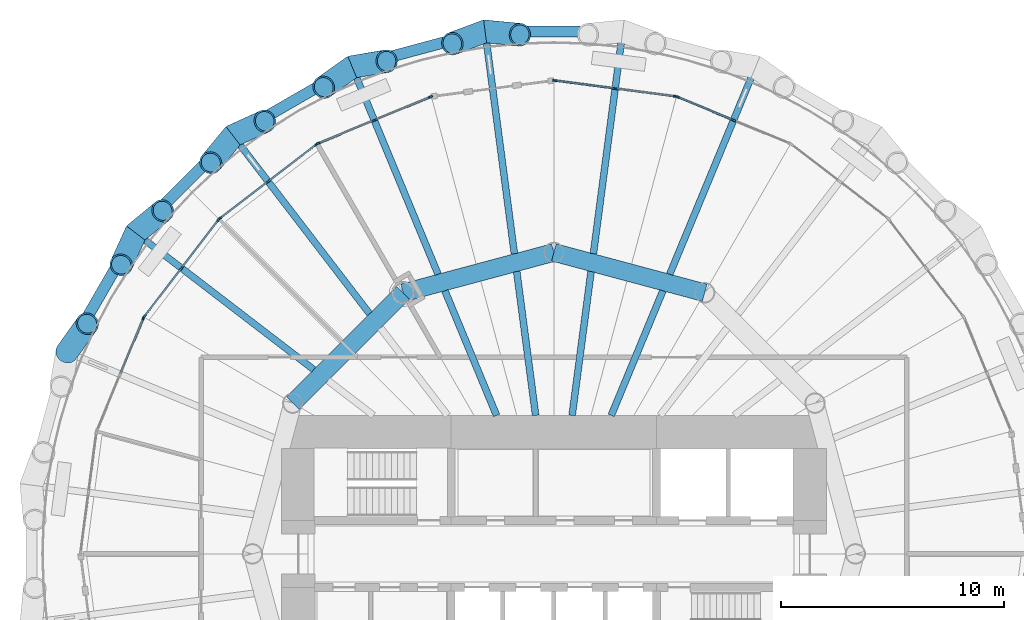
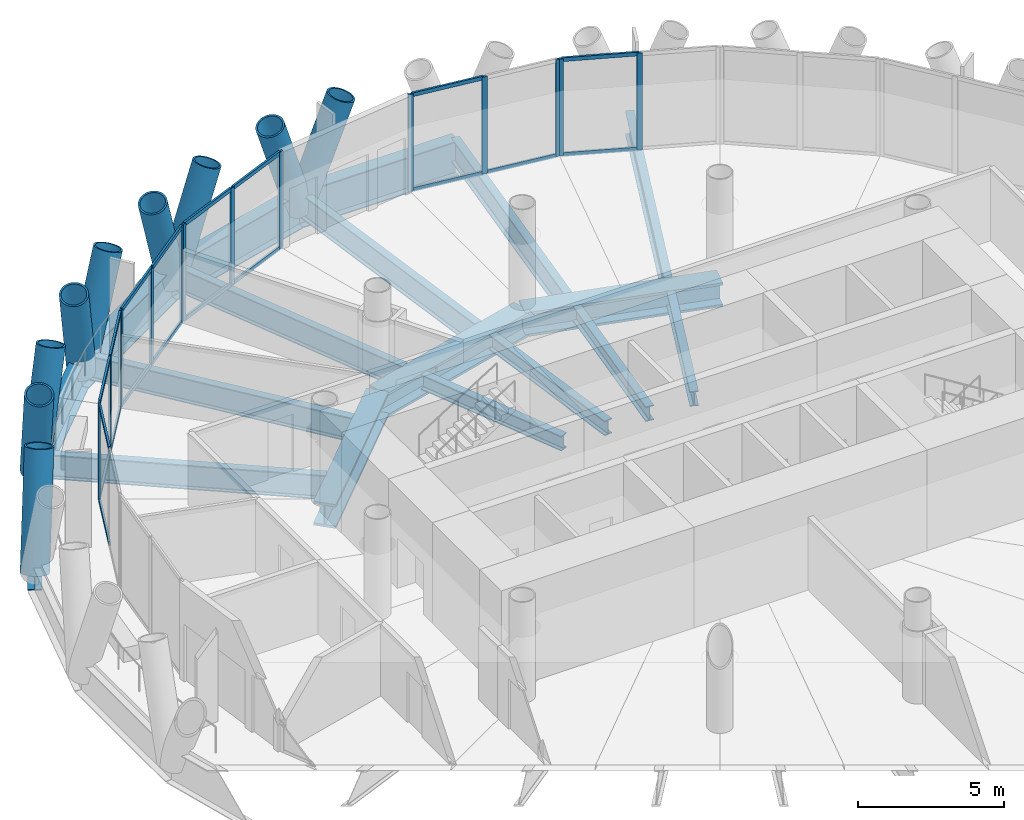
# One storey, part 6 of 14: 43 members, 18 beams, 6 elements without a shape of their own.
"""IFC4 building model written with IfcOpenShell, lengths in metres."""

from ifc_helpers import new_model, si_unit, direction, frame, origin, origin_2d, place, context, subcontext, project, spatial, rectangle, hollow_circle, i_section, extrude, material, material_profile, profile_set, type_object, element, aggregate, save


model = new_model("IFC4")

# Units and contexts
model_context = context("Model", 3, precision=1e-05, world=origin(), true_north=direction((0.0, 1.0)))
body_context = subcontext(model_context, "Body", "Model", "MODEL_VIEW")
ifc_project = project(units=[si_unit("LENGTHUNIT", "METRE"), si_unit("AREAUNIT", "SQUARE_METRE"), si_unit("VOLUMEUNIT", "CUBIC_METRE"), si_unit("PLANEANGLEUNIT", "RADIAN"), si_unit("MASSUNIT", "GRAM", prefix="KILO")], contexts=[model_context])

# Site, building, storey
site_placement = place(None, origin())
site = spatial("IfcSite", under=ifc_project, at=site_placement, CompositionType="ELEMENT")
building_placement = place(site_placement, origin())
building = spatial("IfcBuilding", under=site, at=building_placement, Name="Qaws Media Tower", CompositionType="ELEMENT")
storey_placement = place(building_placement, frame((0.0, 0.0, 202.39990234375)))
storey = spatial("IfcBuildingStorey", under=building, at=storey_placement, Name="L46", CompositionType="ELEMENT", Elevation=202.39990234375)

# Curtain wall, members
ifc_material_1 = material(Name="Aluminium and clear glass", Category="aluminium")
curtain_wall_type = type_object("IfcCurtainWallType", Name="Unitised curtain wall CW-C", PredefinedType="NOTDEFINED", material=ifc_material_1)
curtain_wall_1_placement = place(storey_placement, origin())
curtain_wall_1 = element("IfcCurtainWall", 1, at=curtain_wall_1_placement, inside=storey, type_object=curtain_wall_type, Name="CWC curtain wall L46-05", PredefinedType="NOTDEFINED")
ifc_material_2 = material(Name="Aluminium mullion", Category="aluminium")
ifc_material_profile_1 = material_profile(ifc_material_2, rectangle(XDim=0.080078125, YDim=0.199951171875, at=origin_2d()), Name="80x200")
ifc_profile_set_1 = profile_set([ifc_material_profile_1], Name="Aluminium mullion")
member_type_1 = type_object("IfcMemberType", Name="Curtain wall mullion 80x200", PredefinedType="MULLION", material=ifc_profile_set_1)
member_1_placement = place(storey_placement, frame((68.04345703125, 69.418701171875, 0.0), z_axis=(0.0, 0.0, 1.0), x_axis=(-0.382683454553, -0.923879523321, 0.0)))
member_1 = element("IfcMember", 2, at=member_1_placement, type_object=member_type_1, Name="CWC mullion 2", PredefinedType="MULLION", context=body_context, shape_type="SweptSolid", body=[
    extrude(rectangle(XDim=0.080078125, YDim=0.199951171875, at=origin_2d()), origin(), (0.0, 0.0, 1.0), 4.0400390625),
])
member_2_placement = place(storey_placement, frame((65.52392578125, 70.46240234375, 0.0), z_axis=(0.0, 0.0, 1.0), x_axis=(-0.382683454553, -0.923879523321, 0.0)))
member_2 = element("IfcMember", 3, at=member_2_placement, type_object=member_type_1, Name="CWC mullion 3", PredefinedType="MULLION", context=body_context, shape_type="SweptSolid", body=[
    extrude(rectangle(XDim=0.080078125, YDim=0.199951171875, at=origin_2d()), origin(), (0.0, 0.0, 1.0), 4.0400390625),
])

curtain_wall_2_placement = place(storey_placement, origin())
curtain_wall_2 = element("IfcCurtainWall", 4, at=curtain_wall_2_placement, inside=storey, type_object=curtain_wall_type, Name="CWC curtain wall L46-06", PredefinedType="NOTDEFINED")
member_3_placement = place(storey_placement, frame((65.447265625, 70.48291015625, 0.0), z_axis=(0.0, 0.0, 1.0), x_axis=(-0.130526100786, -0.991444873411, 0.0)))
member_3 = element("IfcMember", 5, at=member_3_placement, type_object=member_type_1, Name="CWC mullion 1", PredefinedType="MULLION", context=body_context, shape_type="SweptSolid", body=[
    extrude(rectangle(XDim=0.080078125, YDim=0.199951171875, at=origin_2d()), origin(), (0.0, 0.0, 1.0), 4.0400390625),
])
member_4_placement = place(storey_placement, frame((62.743408203125, 70.8388671875, 0.0), z_axis=(0.0, 0.0, 1.0), x_axis=(-0.130526100786, -0.991444873411, 0.0)))
member_4 = element("IfcMember", 6, at=member_4_placement, type_object=member_type_1, Name="CWC mullion 2", PredefinedType="MULLION", context=body_context, shape_type="SweptSolid", body=[
    extrude(rectangle(XDim=0.080078125, YDim=0.199951171875, at=origin_2d()), origin(), (0.0, 0.0, 1.0), 4.0400390625),
])
member_5_placement = place(storey_placement, frame((60.03955078125, 71.19482421875, 0.0), z_axis=(0.0, 0.0, 1.0), x_axis=(-0.130526100786, -0.991444873411, 0.0)))
member_5 = element("IfcMember", 7, at=member_5_placement, type_object=member_type_1, Name="CWC mullion 3", PredefinedType="MULLION", context=body_context, shape_type="SweptSolid", body=[
    extrude(rectangle(XDim=0.080078125, YDim=0.199951171875, at=origin_2d()), origin(), (0.0, 0.0, 1.0), 4.0400390625),
])

curtain_wall_3_placement = place(storey_placement, origin())
curtain_wall_3 = element("IfcCurtainWall", 8, at=curtain_wall_3_placement, inside=storey, type_object=curtain_wall_type, Name="CWC curtain wall L46-08", PredefinedType="NOTDEFINED")
member_6_placement = place(storey_placement, frame((54.47607421875, 70.46240234375, 0.0), z_axis=(0.0, 0.0, 1.0), x_axis=(0.382683454553, -0.923879523321, 0.0)))
member_6 = element("IfcMember", 9, at=member_6_placement, type_object=member_type_1, Name="CWC mullion 1", PredefinedType="MULLION", context=body_context, shape_type="SweptSolid", body=[
    extrude(rectangle(XDim=0.080078125, YDim=0.199951171875, at=origin_2d()), origin(), (0.0, 0.0, 1.0), 4.0400390625),
])
member_7_placement = place(storey_placement, frame((51.95654296875, 69.418701171875, 0.0), z_axis=(0.0, 0.0, 1.0), x_axis=(0.382683454553, -0.923879523321, 0.0)))
member_7 = element("IfcMember", 10, at=member_7_placement, type_object=member_type_1, Name="CWC mullion 2", PredefinedType="MULLION", context=body_context, shape_type="SweptSolid", body=[
    extrude(rectangle(XDim=0.080078125, YDim=0.199951171875, at=origin_2d()), origin(), (0.0, 0.0, 1.0), 4.0400390625),
])
member_8_placement = place(storey_placement, frame((49.43701171875, 68.375, 0.0), z_axis=(0.0, 0.0, 1.0), x_axis=(0.382683454553, -0.923879523321, 0.0)))
member_8 = element("IfcMember", 11, at=member_8_placement, type_object=member_type_1, Name="CWC mullion 3", PredefinedType="MULLION", context=body_context, shape_type="SweptSolid", body=[
    extrude(rectangle(XDim=0.080078125, YDim=0.199951171875, at=origin_2d()), origin(), (0.0, 0.0, 1.0), 4.0400390625),
])

curtain_wall_4_placement = place(storey_placement, origin())
curtain_wall_4 = element("IfcCurtainWall", 12, at=curtain_wall_4_placement, inside=storey, type_object=curtain_wall_type, Name="CWC curtain wall L46-09", PredefinedType="NOTDEFINED")
member_9_placement = place(storey_placement, frame((49.3681640625, 68.33544921875, 0.0), z_axis=(0.0, 0.0, 1.0), x_axis=(0.608761431016, -0.793353338751, 0.0)))
member_9 = element("IfcMember", 13, at=member_9_placement, type_object=member_type_1, Name="CWC mullion 1", PredefinedType="MULLION", context=body_context, shape_type="SweptSolid", body=[
    extrude(rectangle(XDim=0.080078125, YDim=0.199951171875, at=origin_2d()), origin(), (0.0, 0.0, 1.0), 4.0400390625),
])
member_10_placement = place(storey_placement, frame((47.20458984375, 66.67529296875, 0.0), z_axis=(0.0, 0.0, 1.0), x_axis=(0.608761431016, -0.793353338751, 0.0)))
member_10 = element("IfcMember", 14, at=member_10_placement, type_object=member_type_1, Name="CWC mullion 2", PredefinedType="MULLION", context=body_context, shape_type="SweptSolid", body=[
    extrude(rectangle(XDim=0.080078125, YDim=0.199951171875, at=origin_2d()), origin(), (0.0, 0.0, 1.0), 4.0400390625),
])
member_11_placement = place(storey_placement, frame((45.041015625, 65.014892578125, 0.0), z_axis=(0.0, 0.0, 1.0), x_axis=(0.608761431016, -0.793353338751, 0.0)))
member_11 = element("IfcMember", 15, at=member_11_placement, type_object=member_type_1, Name="CWC mullion 3", PredefinedType="MULLION", context=body_context, shape_type="SweptSolid", body=[
    extrude(rectangle(XDim=0.080078125, YDim=0.199951171875, at=origin_2d()), origin(), (0.0, 0.0, 1.0), 4.0400390625),
])

curtain_wall_5_placement = place(storey_placement, origin())
curtain_wall_5 = element("IfcCurtainWall", 16, at=curtain_wall_5_placement, inside=storey, type_object=curtain_wall_type, Name="CWC curtain wall L46-10", PredefinedType="NOTDEFINED")
member_12_placement = place(storey_placement, frame((44.985107421875, 64.958984375, 0.0), z_axis=(0.0, 0.0, 1.0), x_axis=(0.793353338751, -0.608761431016, 0.0)))
member_12 = element("IfcMember", 17, at=member_12_placement, type_object=member_type_1, Name="CWC mullion 1", PredefinedType="MULLION", context=body_context, shape_type="SweptSolid", body=[
    extrude(rectangle(XDim=0.080078125, YDim=0.199951171875, at=origin_2d()), origin(), (0.0, 0.0, 1.0), 4.0400390625),
])
member_13_placement = place(storey_placement, frame((43.32470703125, 62.79541015625, 0.0), z_axis=(0.0, 0.0, 1.0), x_axis=(0.793353338751, -0.608761431016, 0.0)))
member_13 = element("IfcMember", 18, at=member_13_placement, type_object=member_type_1, Name="CWC mullion 2", PredefinedType="MULLION", context=body_context, shape_type="SweptSolid", body=[
    extrude(rectangle(XDim=0.080078125, YDim=0.199951171875, at=origin_2d()), origin(), (0.0, 0.0, 1.0), 4.0400390625),
])
member_14_placement = place(storey_placement, frame((41.66455078125, 60.6318359375, 0.0), z_axis=(0.0, 0.0, 1.0), x_axis=(0.793353338751, -0.608761431016, 0.0)))
member_14 = element("IfcMember", 19, at=member_14_placement, type_object=member_type_1, Name="CWC mullion 3", PredefinedType="MULLION", context=body_context, shape_type="SweptSolid", body=[
    extrude(rectangle(XDim=0.080078125, YDim=0.199951171875, at=origin_2d()), origin(), (0.0, 0.0, 1.0), 4.0400390625),
])

# Curtain wall, member
curtain_wall_6_placement = place(storey_placement, origin())
curtain_wall_6 = element("IfcCurtainWall", 20, at=curtain_wall_6_placement, inside=storey, type_object=curtain_wall_type, Name="CWC curtain wall L46-11", PredefinedType="NOTDEFINED")
member_15_placement = place(storey_placement, frame((41.625, 60.56298828125, 0.0), z_axis=(0.0, 0.0, 1.0), x_axis=(0.923879523321, -0.382683454553, 0.0)))
member_15 = element("IfcMember", 21, at=member_15_placement, type_object=member_type_1, Name="CWC mullion 1", PredefinedType="MULLION", context=body_context, shape_type="SweptSolid", body=[
    extrude(rectangle(XDim=0.080078125, YDim=0.199951171875, at=origin_2d()), origin(), (0.0, 0.0, 1.0), 4.0400390625),
])

# Member
ifc_material_3 = material(Name="Aluminium transom", Category="aluminium")
ifc_material_profile_2 = material_profile(ifc_material_3, rectangle(XDim=0.080078125, YDim=0.159912109375, at=origin_2d()), Name="80x160")
ifc_profile_set_2 = profile_set([ifc_material_profile_2], Name="Aluminium transom")
member_type_2 = type_object("IfcMemberType", Name="Curtain wall transom 80x160", PredefinedType="USERDEFINED", material=ifc_profile_set_2)
member_16_placement = place(storey_placement, frame((68.006591796875, 69.43408203125, 0.0400390625), z_axis=(-0.923898816777, 0.38263687271, 0.0), x_axis=(-0.38263687271, -0.923898816777, 0.0)))
member_16 = element("IfcMember", 22, at=member_16_placement, type_object=member_type_2, Name="CWC transom 2.1", ObjectType="TRANSOM", PredefinedType="USERDEFINED", context=body_context, shape_type="SweptSolid", body=[
    extrude(rectangle(XDim=0.080078125, YDim=0.159912109375, at=origin_2d()), origin(), (0.0, 0.0, 1.0), 2.647216796875),
])

member_17_placement = place(storey_placement, frame((68.006591796875, 69.43408203125, 4.0), z_axis=(-0.923898816777, 0.38263687271, 0.0), x_axis=(-0.38263687271, -0.923898816777, 0.0)))
member_17 = element("IfcMember", 23, at=member_17_placement, type_object=member_type_2, Name="CWC transom 2.2", ObjectType="TRANSOM", PredefinedType="USERDEFINED", context=body_context, shape_type="SweptSolid", body=[
    extrude(rectangle(XDim=0.080078125, YDim=0.159912109375, at=origin_2d()), origin(), (0.0, 0.0, 1.0), 2.647216796875),
])

aggregate(curtain_wall_1, [member_1, member_2, member_16, member_17])

member_18_placement = place(storey_placement, frame((65.40771484375, 70.488037109375, 0.0400390625), z_axis=(-0.991448016129, 0.130502227239, 0.0), x_axis=(-0.130502227239, -0.991448016129, 0.0)))
member_18 = element("IfcMember", 24, at=member_18_placement, type_object=member_type_2, Name="CWC transom 1.1", ObjectType="TRANSOM", PredefinedType="USERDEFINED", context=body_context, shape_type="SweptSolid", body=[
    extrude(rectangle(XDim=0.080078125, YDim=0.159912109375, at=origin_2d()), origin(), (0.0, 0.0, 1.0), 2.647216796875),
])

member_19_placement = place(storey_placement, frame((62.703857421875, 70.843994140625, 0.0400390625), z_axis=(-0.991448016129, 0.130502227239, 0.0), x_axis=(-0.130502227239, -0.991448016129, 0.0)))
member_19 = element("IfcMember", 25, at=member_19_placement, type_object=member_type_2, Name="CWC transom 2.1", ObjectType="TRANSOM", PredefinedType="USERDEFINED", context=body_context, shape_type="SweptSolid", body=[
    extrude(rectangle(XDim=0.080078125, YDim=0.159912109375, at=origin_2d()), origin(), (0.0, 0.0, 1.0), 2.647216796875),
])

member_20_placement = place(storey_placement, frame((62.703857421875, 70.843994140625, 4.0), z_axis=(-0.991448016129, 0.130502227239, 0.0), x_axis=(-0.130502227239, -0.991448016129, 0.0)))
member_20 = element("IfcMember", 26, at=member_20_placement, type_object=member_type_2, Name="CWC transom 2.2", ObjectType="TRANSOM", PredefinedType="USERDEFINED", context=body_context, shape_type="SweptSolid", body=[
    extrude(rectangle(XDim=0.080078125, YDim=0.159912109375, at=origin_2d()), origin(), (0.0, 0.0, 1.0), 2.647216796875),
])

aggregate(curtain_wall_2, [member_3, member_4, member_5, member_18, member_19, member_20])

member_21_placement = place(storey_placement, frame((54.439208984375, 70.447021484375, 0.0400390625), z_axis=(-0.923898816777, -0.38263687271, 0.0), x_axis=(0.38263687271, -0.923898816777, 0.0)))
member_21 = element("IfcMember", 27, at=member_21_placement, type_object=member_type_2, Name="CWC transom 1.1", ObjectType="TRANSOM", PredefinedType="USERDEFINED", context=body_context, shape_type="SweptSolid", body=[
    extrude(rectangle(XDim=0.080078125, YDim=0.159912109375, at=origin_2d()), origin(), (0.0, 0.0, 1.0), 2.647216796875),
])

member_22_placement = place(storey_placement, frame((54.439208984375, 70.447021484375, 4.0), z_axis=(-0.923898816777, -0.38263687271, 0.0), x_axis=(0.38263687271, -0.923898816777, 0.0)))
member_22 = element("IfcMember", 28, at=member_22_placement, type_object=member_type_2, Name="CWC transom 1.2", ObjectType="TRANSOM", PredefinedType="USERDEFINED", context=body_context, shape_type="SweptSolid", body=[
    extrude(rectangle(XDim=0.080078125, YDim=0.159912109375, at=origin_2d()), origin(), (0.0, 0.0, 1.0), 2.647216796875),
])

member_23_placement = place(storey_placement, frame((51.919677734375, 69.4033203125, 0.0400390625), z_axis=(-0.923898816777, -0.38263687271, 0.0), x_axis=(0.38263687271, -0.923898816777, 0.0)))
member_23 = element("IfcMember", 29, at=member_23_placement, type_object=member_type_2, Name="CWC transom 2.1", ObjectType="TRANSOM", PredefinedType="USERDEFINED", context=body_context, shape_type="SweptSolid", body=[
    extrude(rectangle(XDim=0.080078125, YDim=0.159912109375, at=origin_2d()), origin(), (0.0, 0.0, 1.0), 2.647216796875),
])

member_24_placement = place(storey_placement, frame((51.919677734375, 69.4033203125, 4.0), z_axis=(-0.923898816777, -0.38263687271, 0.0), x_axis=(0.38263687271, -0.923898816777, 0.0)))
member_24 = element("IfcMember", 30, at=member_24_placement, type_object=member_type_2, Name="CWC transom 2.2", ObjectType="TRANSOM", PredefinedType="USERDEFINED", context=body_context, shape_type="SweptSolid", body=[
    extrude(rectangle(XDim=0.080078125, YDim=0.159912109375, at=origin_2d()), origin(), (0.0, 0.0, 1.0), 2.647216796875),
])

aggregate(curtain_wall_3, [member_6, member_7, member_8, member_21, member_22, member_23, member_24])

member_25_placement = place(storey_placement, frame((49.33642578125, 68.31103515625, 0.0400390625), z_axis=(-0.793333151209, -0.608787739029, 0.0), x_axis=(0.608787739029, -0.793333151209, 0.0)))
member_25 = element("IfcMember", 31, at=member_25_placement, type_object=member_type_2, Name="CWC transom 1.1", ObjectType="TRANSOM", PredefinedType="USERDEFINED", context=body_context, shape_type="SweptSolid", body=[
    extrude(rectangle(XDim=0.080078125, YDim=0.159912109375, at=origin_2d()), origin(), (0.0, 0.0, 1.0), 2.647216796875),
])

member_26_placement = place(storey_placement, frame((49.33642578125, 68.31103515625, 4.0), z_axis=(-0.793333151209, -0.608787739029, 0.0), x_axis=(0.608787739029, -0.793333151209, 0.0)))
member_26 = element("IfcMember", 32, at=member_26_placement, type_object=member_type_2, Name="CWC transom 1.2", ObjectType="TRANSOM", PredefinedType="USERDEFINED", context=body_context, shape_type="SweptSolid", body=[
    extrude(rectangle(XDim=0.080078125, YDim=0.159912109375, at=origin_2d()), origin(), (0.0, 0.0, 1.0), 2.647216796875),
])

member_27_placement = place(storey_placement, frame((47.1728515625, 66.65087890625, 0.0400390625), z_axis=(-0.793333151209, -0.608787739029, 0.0), x_axis=(0.608787739029, -0.793333151209, 0.0)))
member_27 = element("IfcMember", 33, at=member_27_placement, type_object=member_type_2, Name="CWC transom 2.1", ObjectType="TRANSOM", PredefinedType="USERDEFINED", context=body_context, shape_type="SweptSolid", body=[
    extrude(rectangle(XDim=0.080078125, YDim=0.159912109375, at=origin_2d()), origin(), (0.0, 0.0, 1.0), 2.647216796875),
])

member_28_placement = place(storey_placement, frame((47.1728515625, 66.65087890625, 4.0), z_axis=(-0.793333151209, -0.608787739029, 0.0), x_axis=(0.608787739029, -0.793333151209, 0.0)))
member_28 = element("IfcMember", 34, at=member_28_placement, type_object=member_type_2, Name="CWC transom 2.2", ObjectType="TRANSOM", PredefinedType="USERDEFINED", context=body_context, shape_type="SweptSolid", body=[
    extrude(rectangle(XDim=0.080078125, YDim=0.159912109375, at=origin_2d()), origin(), (0.0, 0.0, 1.0), 2.647216796875),
])

aggregate(curtain_wall_4, [member_9, member_10, member_11, member_25, member_26, member_27, member_28])

member_29_placement = place(storey_placement, frame((44.960693359375, 64.92724609375, 0.0400390625), z_axis=(-0.608787739029, -0.793333151209, 0.0), x_axis=(0.793333151209, -0.608787739029, 0.0)))
member_29 = element("IfcMember", 35, at=member_29_placement, type_object=member_type_2, Name="CWC transom 1.1", ObjectType="TRANSOM", PredefinedType="USERDEFINED", context=body_context, shape_type="SweptSolid", body=[
    extrude(rectangle(XDim=0.080078125, YDim=0.159912109375, at=origin_2d()), origin(), (0.0, 0.0, 1.0), 2.647216796875),
])

member_30_placement = place(storey_placement, frame((44.960693359375, 64.92724609375, 4.0), z_axis=(-0.608787739029, -0.793333151209, 0.0), x_axis=(0.793333151209, -0.608787739029, 0.0)))
member_30 = element("IfcMember", 36, at=member_30_placement, type_object=member_type_2, Name="CWC transom 1.2", ObjectType="TRANSOM", PredefinedType="USERDEFINED", context=body_context, shape_type="SweptSolid", body=[
    extrude(rectangle(XDim=0.080078125, YDim=0.159912109375, at=origin_2d()), origin(), (0.0, 0.0, 1.0), 2.647216796875),
])

member_31_placement = place(storey_placement, frame((43.300537109375, 62.763671875, 0.0400390625), z_axis=(-0.608787739029, -0.793333151209, 0.0), x_axis=(0.793333151209, -0.608787739029, 0.0)))
member_31 = element("IfcMember", 37, at=member_31_placement, type_object=member_type_2, Name="CWC transom 2.1", ObjectType="TRANSOM", PredefinedType="USERDEFINED", context=body_context, shape_type="SweptSolid", body=[
    extrude(rectangle(XDim=0.080078125, YDim=0.159912109375, at=origin_2d()), origin(), (0.0, 0.0, 1.0), 2.647216796875),
])

member_32_placement = place(storey_placement, frame((43.300537109375, 62.763671875, 4.0), z_axis=(-0.608787739029, -0.793333151209, 0.0), x_axis=(0.793333151209, -0.608787739029, 0.0)))
member_32 = element("IfcMember", 38, at=member_32_placement, type_object=member_type_2, Name="CWC transom 2.2", ObjectType="TRANSOM", PredefinedType="USERDEFINED", context=body_context, shape_type="SweptSolid", body=[
    extrude(rectangle(XDim=0.080078125, YDim=0.159912109375, at=origin_2d()), origin(), (0.0, 0.0, 1.0), 2.647216796875),
])

aggregate(curtain_wall_5, [member_12, member_13, member_14, member_29, member_30, member_31, member_32])

member_33_placement = place(storey_placement, frame((41.609619140625, 60.526123046875, 0.0400390625), z_axis=(-0.38263687271, -0.923898816777, 0.0), x_axis=(0.923898816777, -0.38263687271, 0.0)))
member_33 = element("IfcMember", 39, at=member_33_placement, type_object=member_type_2, Name="CWC transom 1.1", ObjectType="TRANSOM", PredefinedType="USERDEFINED", context=body_context, shape_type="SweptSolid", body=[
    extrude(rectangle(XDim=0.080078125, YDim=0.159912109375, at=origin_2d()), origin(), (0.0, 0.0, 1.0), 2.647216796875),
])

member_34_placement = place(storey_placement, frame((41.609619140625, 60.526123046875, 4.0), z_axis=(-0.38263687271, -0.923898816777, 0.0), x_axis=(0.923898816777, -0.38263687271, 0.0)))
member_34 = element("IfcMember", 40, at=member_34_placement, type_object=member_type_2, Name="CWC transom 1.2", ObjectType="TRANSOM", PredefinedType="USERDEFINED", context=body_context, shape_type="SweptSolid", body=[
    extrude(rectangle(XDim=0.080078125, YDim=0.159912109375, at=origin_2d()), origin(), (0.0, 0.0, 1.0), 2.647216796875),
])

aggregate(curtain_wall_6, [member_15, member_33, member_34])

# Members
ifc_material_4 = material(Name="Steel S460", Category="steel")
ifc_material_profile_3 = material_profile(ifc_material_4, hollow_circle(Radius=0.508056640625, WallThickness=0.070068359375, at=origin_2d()), Name="CHS 1016x70")
ifc_profile_set_3 = profile_set([ifc_material_profile_3], Name="Steel S460")
member_type_3 = type_object("IfcMemberType", Name="Diagrid member CHS 1016x70", PredefinedType="USERDEFINED", material=ifc_profile_set_3)
member_35_placement = place(storey_placement, frame((56.919677734375, 73.398193359375, -0.909912109375), z_axis=(-0.326965826616, -0.121808661832, 0.937153134834), x_axis=(0.349103646691, -0.937084117818, 0.0)))
element("IfcMember", 41, at=member_35_placement, inside=storey, type_object=member_type_3, Name="DG3 diagrid L46 A07", ObjectType="DIAGRID", PredefinedType="USERDEFINED", context=body_context, shape_type="SweptSolid", body=[
    extrude(hollow_circle(Radius=0.508056640625, WallThickness=0.070068359375, at=origin_2d()), origin(), (0.0, 0.0, 1.0), 4.481689453125),
])
for number, where, z_axis, x_axis, name in (
    (42, (56.919677734375, 73.398193359375, -0.909912109375), (0.347292966152, -0.03306773811, 0.937173473994), (0.094786985058, 0.995497577829, 0.0), "DG3 diagrid L46 B07"),
    (43, (50.96875, 71.803466796875, -0.909912109375), (-0.284313871152, -0.202217491802, 0.93716258391), (0.579597527467, -0.814902881425, 0.0), "DG3 diagrid L46 A08"),
    (44, (50.96875, 71.803466796875, -0.909912109375), (0.34402209257, 0.058017977607, 0.937167388516), (-0.166297781756, 0.986075579143, 0.0), "DG3 diagrid L46 B08"),
):
    element("IfcMember", number, at=place(storey_placement, frame(where, z_axis=z_axis, x_axis=x_axis)), inside=storey, type_object=member_type_3, Name=name, ObjectType="DIAGRID", PredefinedType="USERDEFINED", context=body_context, shape_type="SweptSolid", body=[
        extrude(hollow_circle(Radius=0.508056640625, WallThickness=0.070068359375, at=origin_2d()), origin(), (0.0, 0.0, 1.0), 4.4814453125),
    ])
member_36_placement = place(storey_placement, frame((45.63330078125, 68.72314453125, -0.909912109375), z_axis=(-0.222263773109, -0.268950060745, 0.937157766861), x_axis=(0.770838408079, -0.637030728168, 0.0)))
element("IfcMember", 45, at=member_36_placement, inside=storey, type_object=member_type_3, Name="DG3 diagrid L46 A09", ObjectType="DIAGRID", PredefinedType="USERDEFINED", context=body_context, shape_type="SweptSolid", body=[
    extrude(hollow_circle(Radius=0.508056640625, WallThickness=0.070068359375, at=origin_2d()), origin(), (0.0, 0.0, 1.0), 4.481689453125),
])
for number, where, z_axis, x_axis, name in (
    (46, (45.63330078125, 68.72314453125, -0.909912109375), (0.317275265863, 0.145072807863, 0.937171428337), (-0.41583725569, 0.909439045115, 0.0), "DG3 diagrid L46 B09"),
    (47, (41.27685546875, 64.36669921875, -0.909912109375), (-0.145072807863, -0.317275265863, 0.937171428337), (0.909439045115, -0.41583725569, 0.0), "DG3 diagrid L46 A10"),
):
    element("IfcMember", number, at=place(storey_placement, frame(where, z_axis=z_axis, x_axis=x_axis)), inside=storey, type_object=member_type_3, Name=name, ObjectType="DIAGRID", PredefinedType="USERDEFINED", context=body_context, shape_type="SweptSolid", body=[
        extrude(hollow_circle(Radius=0.508056640625, WallThickness=0.070068359375, at=origin_2d()), origin(), (0.0, 0.0, 1.0), 4.4814453125),
    ])
member_37_placement = place(storey_placement, frame((41.27685546875, 64.36669921875, -0.909912109375), z_axis=(0.268950060745, 0.222263773109, 0.937157766861), x_axis=(-0.637030728168, 0.770838408079, 0.0)))
element("IfcMember", 48, at=member_37_placement, inside=storey, type_object=member_type_3, Name="DG3 diagrid L46 B10", ObjectType="DIAGRID", PredefinedType="USERDEFINED", context=body_context, shape_type="SweptSolid", body=[
    extrude(hollow_circle(Radius=0.508056640625, WallThickness=0.070068359375, at=origin_2d()), origin(), (0.0, 0.0, 1.0), 4.481689453125),
])
member_38_placement = place(storey_placement, frame((38.196533203125, 59.03125, -0.909912109375), z_axis=(0.202217491802, 0.284313871152, 0.93716258391), x_axis=(-0.814902881425, 0.579597527467, 0.0)))
element("IfcMember", 49, at=member_38_placement, inside=storey, type_object=member_type_3, Name="DG3 diagrid L46 B11", ObjectType="DIAGRID", PredefinedType="USERDEFINED", context=body_context, shape_type="SweptSolid", body=[
    extrude(hollow_circle(Radius=0.508056640625, WallThickness=0.070068359375, at=origin_2d()), origin(), (0.0, 0.0, 1.0), 4.4814453125),
])

# Beams
ifc_material_5 = material(Name="Steel S460", Category="steel")
ifc_material_profile_4 = material_profile(ifc_material_5, i_section(OverallWidth=0.5, OverallDepth=1.5, WebThickness=0.02001953125, FlangeThickness=0.0400390625, at=origin_2d()), Name="PG 1500x500")
ifc_profile_set_4 = profile_set([ifc_material_profile_4], Name="Steel S460")
beam_type_1 = type_object("IfcBeamType", Name="Edge ring beam PG 1500x500", PredefinedType="BEAM", material=ifc_profile_set_4)
beam_1_placement = place(storey_placement, frame((63.080322265625, 73.398193359375, -0.909912109375), z_axis=(-1.0, 0.0, 0.0), x_axis=(0.0, -1.0, 0.0)))
element("IfcBeam", 50, at=beam_1_placement, inside=storey, type_object=beam_type_1, Name="RB4 edge ring beam L46-06", PredefinedType="BEAM", context=body_context, shape_type="SweptSolid", body=[
    extrude(i_section(OverallWidth=0.5, OverallDepth=1.5, WebThickness=0.02001953125, FlangeThickness=0.0400390625, at=origin_2d()), origin(), (0.0, 0.0, 1.0), 6.16064453125),
])
for number, where, z_axis, x_axis, name in (
    (51, (56.919677734375, 73.398193359375, -0.909912109375), (-0.965918510339, -0.258846347058, 0.0), (0.258846347058, -0.965918510339, 0.0), "RB4 edge ring beam L46-07"),
    (52, (50.96875, 71.803466796875, -0.909912109375), (-0.866032486833, -0.499987731599, 0.0), (0.499987731599, -0.866032486833, 0.0), "RB4 edge ring beam L46-08"),
    (53, (45.63330078125, 68.72314453125, -0.909912109375), (-0.707106781187, -0.707106781187, 0.0), (0.707106781187, -0.707106781187, 0.0), "RB4 edge ring beam L46-09"),
    (54, (41.27685546875, 64.36669921875, -0.909912109375), (-0.499987731599, -0.866032486833, 0.0), (0.866032486833, -0.499987731599, 0.0), "RB4 edge ring beam L46-10"),
):
    element("IfcBeam", number, at=place(storey_placement, frame(where, z_axis=z_axis, x_axis=x_axis)), inside=storey, type_object=beam_type_1, Name=name, PredefinedType="BEAM", context=body_context, shape_type="SweptSolid", body=[
        extrude(i_section(OverallWidth=0.5, OverallDepth=1.5, WebThickness=0.02001953125, FlangeThickness=0.0400390625, at=origin_2d()), origin(), (0.0, 0.0, 1.0), 6.160888671875),
    ])
ifc_material_6 = material(Name="Steel S460", Category="steel")
ifc_material_profile_5 = material_profile(ifc_material_6, i_section(OverallWidth=0.800048828125, OverallDepth=1.0, WebThickness=0.0400390625, FlangeThickness=0.10009765625, at=origin_2d()), Name="PG 1000x800")
ifc_profile_set_5 = profile_set([ifc_material_profile_5], Name="Steel S460")
beam_type_2 = type_object("IfcBeamType", Name="Inner ring girder PG 1000x800", PredefinedType="BEAM", material=ifc_profile_set_5)
for number, where, z_axis, x_axis, name in (
    (55, (66.75, 61.69140625, -0.659912109375), (-0.965928090778, 0.258810593767, 0.0), (-0.258810593767, -0.965928090778, 0.0), "B3 inner ring beam L46 I03-I04"),
    (56, (60.0, 63.5, -0.659912109375), (-0.965928090778, -0.258810593767, 0.0), (0.258810593767, -0.965928090778, 0.0), "B3 inner ring beam L46 I04-I05"),
):
    element("IfcBeam", number, at=place(storey_placement, frame(where, z_axis=z_axis, x_axis=x_axis)), inside=storey, type_object=beam_type_2, Name=name, PredefinedType="BEAM", context=body_context, shape_type="SweptSolid", body=[
        extrude(i_section(OverallWidth=0.800048828125, OverallDepth=1.0, WebThickness=0.0400390625, FlangeThickness=0.10009765625, at=origin_2d()), origin(), (0.0, 0.0, 1.0), 6.988037109375),
    ])
beam_2_placement = place(storey_placement, frame((53.25, 61.69140625, -0.659912109375), z_axis=(-0.707106781187, -0.707106781187, 0.0), x_axis=(0.707106781187, -0.707106781187, 0.0)))
element("IfcBeam", 57, at=beam_2_placement, inside=storey, type_object=beam_type_2, Name="B3 inner ring beam L46 I05-I06", PredefinedType="BEAM", context=body_context, shape_type="SweptSolid", body=[
    extrude(i_section(OverallWidth=0.800048828125, OverallDepth=1.0, WebThickness=0.0400390625, FlangeThickness=0.10009765625, at=origin_2d()), origin(), (0.0, 0.0, 1.0), 6.98828125),
])
ifc_material_7 = material(Name="Steel S355", Category="steel")
ifc_material_profile_6 = material_profile(ifc_material_7, i_section(OverallWidth=0.302001953125, OverallDepth=1.008056640625, WebThickness=0.02099609375, FlangeThickness=0.0400390625, FilletRadius=0.030029296875, at=origin_2d()), Name="HE 1000 M")
ifc_profile_set_6 = profile_set([ifc_material_profile_6], Name="Steel S355")
beam_type_3 = type_object("IfcBeamType", Name="Radial beam HE 1000 M", PredefinedType="BEAM", material=ifc_profile_set_6)
beam_3_placement = place(storey_placement, frame((65.187744140625, 62.524169921875, -0.663818359375), z_axis=(0.382674529894, 0.923883219985, 0.0), x_axis=(-0.923883219985, 0.382674529894, 0.0)))
element("IfcBeam", 58, at=beam_3_placement, inside=storey, type_object=beam_type_3, Name="B1 radial beam L46 05", PredefinedType="BEAM", context=body_context, shape_type="SweptSolid", body=[
    extrude(i_section(OverallWidth=0.302001953125, OverallDepth=1.008056640625, WebThickness=0.02099609375, FlangeThickness=0.0400390625, FilletRadius=0.030029296875, at=origin_2d()), origin(), (0.0, 0.0, 1.0), 10.043701171875),
])
for number, where, z_axis, x_axis, name in (
    (59, (61.769287109375, 63.43994140625, -0.663818359375), (0.130526820019, 0.991444778722, 0.0), (-0.991444778722, 0.130526820019, 0.0), "B1 radial beam L46 06"),
    (60, (58.230712890625, 63.43994140625, -0.663818359375), (-0.130526820019, 0.991444778722, 0.0), (-0.991444778722, -0.130526820019, 0.0), "B1 radial beam L46 07"),
):
    element("IfcBeam", number, at=place(storey_placement, frame(where, z_axis=z_axis, x_axis=x_axis)), inside=storey, type_object=beam_type_3, Name=name, PredefinedType="BEAM", context=body_context, shape_type="SweptSolid", body=[
        extrude(i_section(OverallWidth=0.302001953125, OverallDepth=1.008056640625, WebThickness=0.02099609375, FlangeThickness=0.0400390625, FilletRadius=0.030029296875, at=origin_2d()), origin(), (0.0, 0.0, 1.0), 10.044189453125),
    ])
beam_4_placement = place(storey_placement, frame((54.812255859375, 62.524169921875, -0.663818359375), z_axis=(-0.382674529894, 0.923883219985, 0.0), x_axis=(-0.923883219985, -0.382674529894, 0.0)))
element("IfcBeam", 61, at=beam_4_placement, inside=storey, type_object=beam_type_3, Name="B1 radial beam L46 08", PredefinedType="BEAM", context=body_context, shape_type="SweptSolid", body=[
    extrude(i_section(OverallWidth=0.302001953125, OverallDepth=1.008056640625, WebThickness=0.02099609375, FlangeThickness=0.0400390625, FilletRadius=0.030029296875, at=origin_2d()), origin(), (0.0, 0.0, 1.0), 10.043701171875),
])
for number, where, z_axis, x_axis, name in (
    (62, (51.74755859375, 60.754638671875, -0.663818359375), (-0.608749410505, 0.793362562269, 0.0), (-0.793362562269, -0.608749410505, 0.0), "B1 radial beam L46 09"),
    (63, (49.245361328125, 58.25244140625, -0.663818359375), (-0.793362562269, 0.608749410505, 0.0), (-0.608749410505, -0.793362562269, 0.0), "B1 radial beam L46 10"),
):
    element("IfcBeam", number, at=place(storey_placement, frame(where, z_axis=z_axis, x_axis=x_axis)), inside=storey, type_object=beam_type_3, Name=name, PredefinedType="BEAM", context=body_context, shape_type="SweptSolid", body=[
        extrude(i_section(OverallWidth=0.302001953125, OverallDepth=1.008056640625, WebThickness=0.02099609375, FlangeThickness=0.0400390625, FilletRadius=0.030029296875, at=origin_2d()), origin(), (0.0, 0.0, 1.0), 10.0439453125),
    ])
ifc_material_8 = material(Name="Steel S355", Category="steel")
ifc_material_profile_7 = material_profile(ifc_material_8, i_section(OverallWidth=0.304931640625, OverallDepth=0.6201171875, WebThickness=0.02099609375, FlangeThickness=0.0400390625, FilletRadius=0.027099609375, at=origin_2d()), Name="HE 600 M")
ifc_profile_set_7 = profile_set([ifc_material_profile_7], Name="Steel S355")
beam_type_4 = type_object("IfcBeamType", Name="Radial beam HE 600 M, core side", PredefinedType="BEAM", material=ifc_profile_set_7)
beam_5_placement = place(storey_placement, frame((62.568115234375, 56.199951171875, -0.469970703125), z_axis=(0.38269102823, 0.923876386165, 0.0), x_axis=(-0.923876386165, 0.38269102823, 0.0)))
element("IfcBeam", 64, at=beam_5_placement, inside=storey, type_object=beam_type_4, Name="B2 radial beam L46 05", PredefinedType="BEAM", context=body_context, shape_type="SweptSolid", body=[
    extrude(i_section(OverallWidth=0.304931640625, OverallDepth=0.6201171875, WebThickness=0.02099609375, FlangeThickness=0.0400390625, FilletRadius=0.027099609375, at=origin_2d()), origin(), (0.0, 0.0, 1.0), 6.038330078125),
])
for number, where, z_axis, x_axis, name in (
    (65, (60.816162109375, 56.199951171875, -0.469970703125), (0.130536183005, 0.991443546011, 0.0), (-0.991443546011, 0.130536183005, 0.0), "B2 radial beam L46 06"),
    (66, (59.183837890625, 56.199951171875, -0.469970703125), (-0.130536183005, 0.991443546011, 0.0), (-0.991443546011, -0.130536183005, 0.0), "B2 radial beam L46 07"),
):
    element("IfcBeam", number, at=place(storey_placement, frame(where, z_axis=z_axis, x_axis=x_axis)), inside=storey, type_object=beam_type_4, Name=name, PredefinedType="BEAM", context=body_context, shape_type="SweptSolid", body=[
        extrude(i_section(OverallWidth=0.304931640625, OverallDepth=0.6201171875, WebThickness=0.02099609375, FlangeThickness=0.0400390625, FilletRadius=0.027099609375, at=origin_2d()), origin(), (0.0, 0.0, 1.0), 6.49560546875),
    ])
beam_6_placement = place(storey_placement, frame((57.431884765625, 56.199951171875, -0.469970703125), z_axis=(-0.38269102823, 0.923876386165, 0.0), x_axis=(-0.923876386165, -0.38269102823, 0.0)))
element("IfcBeam", 67, at=beam_6_placement, inside=storey, type_object=beam_type_4, Name="B2 radial beam L46 08", PredefinedType="BEAM", context=body_context, shape_type="SweptSolid", body=[
    extrude(i_section(OverallWidth=0.304931640625, OverallDepth=0.6201171875, WebThickness=0.02099609375, FlangeThickness=0.0400390625, FilletRadius=0.027099609375, at=origin_2d()), origin(), (0.0, 0.0, 1.0), 6.038330078125),
])

save(model, "model.ifc")
